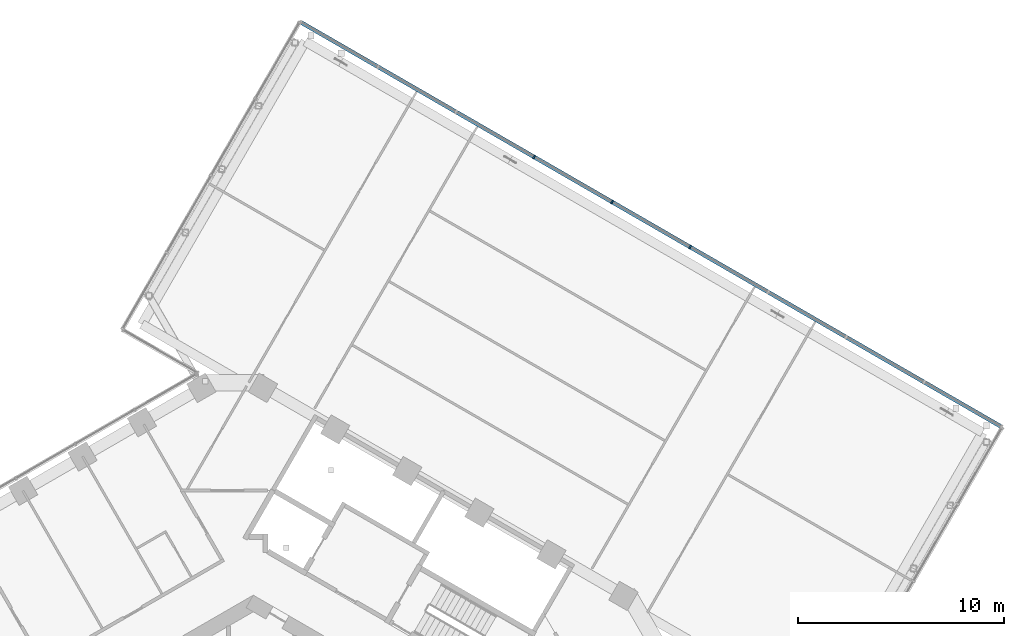
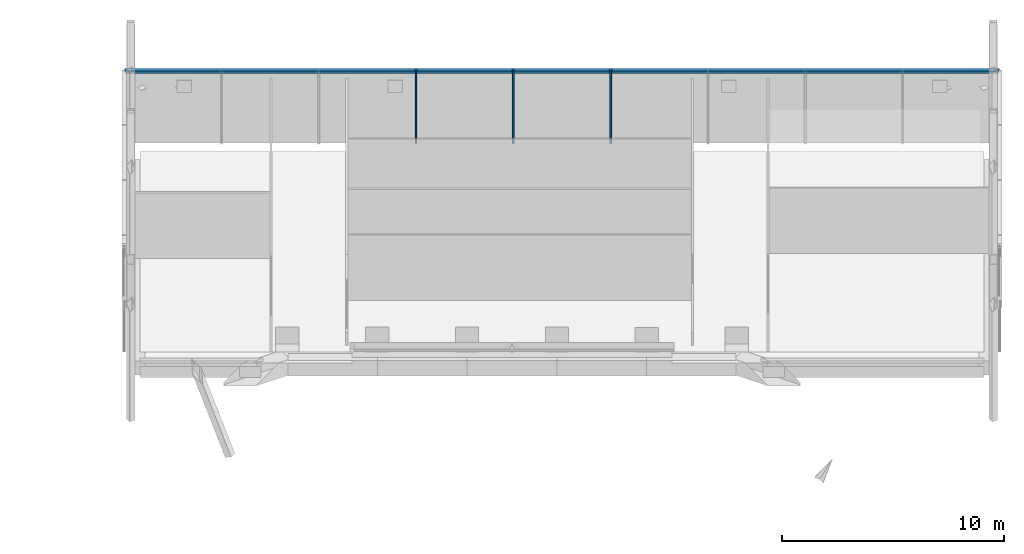
# One storey, part 9 of 25: 4 members, 1 element without a shape of its own.
"""IFC4 building model written with IfcOpenShell, lengths in metres."""

from ifc_helpers import new_model, si_unit, direction, frame, origin, origin_2d, place, context, subcontext, project, spatial, rectangle, extrude, material, layer, layer_set, material_profile, profile_set, type_object, element, aggregate, save


model = new_model("IFC4")

# Units and contexts
model_context = context("Model", 3, precision=1e-05, world=origin(), true_north=direction((0.0, 1.0)))
body_context = subcontext(model_context, "Body", "Model", "MODEL_VIEW")
ifc_project = project(units=[si_unit("LENGTHUNIT", "METRE"), si_unit("AREAUNIT", "SQUARE_METRE"), si_unit("VOLUMEUNIT", "CUBIC_METRE"), si_unit("PLANEANGLEUNIT", "RADIAN"), si_unit("MASSUNIT", "GRAM", prefix="KILO")], contexts=[model_context])

# Site, building, storey
site_placement = place(None, origin())
site = spatial("IfcSite", under=ifc_project, at=site_placement, CompositionType="ELEMENT")
building_placement = place(site_placement, origin())
building = spatial("IfcBuilding", under=site, at=building_placement, Name="Ayvan Gate Tower", CompositionType="ELEMENT")
storey_placement = place(building_placement, frame((0.0, 0.0, 139.89990234375)))
storey = spatial("IfcBuildingStorey", under=building, at=storey_placement, Name="L37", CompositionType="ELEMENT", Elevation=139.89990234375)

# Curtain wall, members
ifc_material = material(Name="Bronze anodised aluminium", Category="aluminium")
ifc_layer = layer(ifc_material, 0.199951171875)
ifc_layer_set = layer_set([ifc_layer], Name="Bronze anodised aluminium")
curtain_wall_type = type_object("IfcCurtainWallType", Name="Stick curtain wall CW-4", PredefinedType="NOTDEFINED", material=ifc_layer_set)
curtain_wall_placement = place(storey_placement, origin())
curtain_wall = element("IfcCurtainWall", 1, at=curtain_wall_placement, inside=storey, type_object=curtain_wall_type, Name="Stick curtain wall CW-4 L37", PredefinedType="NOTDEFINED")
ifc_material_profile_1 = material_profile(ifc_material, rectangle(XDim=0.199951171875, YDim=0.080078125, at=origin_2d()), Name="Stick curtain wall CW-4 mullion 200 x 80")
ifc_profile_set_1 = profile_set([ifc_material_profile_1], Name="Bronze anodised aluminium")
member_type_1 = type_object("IfcMemberType", Name="Stick curtain wall CW-4 mullion 200 x 80", PredefinedType="MULLION", material=ifc_profile_set_1)
member_1_placement = place(storey_placement, frame((21.22607421875, 27.886962890625, 0.0), z_axis=(0.0, 0.0, 1.0), x_axis=(0.5, 0.866025403784, 0.0)))
member_1 = element("IfcMember", 2, at=member_1_placement, type_object=member_type_1, Name="CW-4 mullion 5", PredefinedType="MULLION", context=body_context, shape_type="SweptSolid", body=[
    extrude(rectangle(XDim=0.199951171875, YDim=0.080078125, at=origin_2d()), origin(), (0.0, 0.0, 1.0), 4.0),
])
member_2_placement = place(storey_placement, frame((17.434814453125, 30.075927734375, 0.0), z_axis=(0.0, 0.0, 1.0), x_axis=(0.5, 0.866025403784, 0.0)))
member_2 = element("IfcMember", 3, at=member_2_placement, type_object=member_type_1, Name="CW-4 mullion 6", PredefinedType="MULLION", context=body_context, shape_type="SweptSolid", body=[
    extrude(rectangle(XDim=0.199951171875, YDim=0.080078125, at=origin_2d()), origin(), (0.0, 0.0, 1.0), 4.0),
])
member_3_placement = place(storey_placement, frame((13.6435546875, 32.264892578125, 0.0), z_axis=(0.0, 0.0, 1.0), x_axis=(0.5, 0.866025403784, 0.0)))
member_3 = element("IfcMember", 4, at=member_3_placement, type_object=member_type_1, Name="CW-4 mullion 7", PredefinedType="MULLION", context=body_context, shape_type="SweptSolid", body=[
    extrude(rectangle(XDim=0.199951171875, YDim=0.080078125, at=origin_2d()), origin(), (0.0, 0.0, 1.0), 4.0),
])
ifc_material_profile_2 = material_profile(ifc_material, rectangle(XDim=0.199951171875, YDim=0.139892578125, at=origin_2d()), Name="Stick curtain wall CW-4 transom 200 x 140")
ifc_profile_set_2 = profile_set([ifc_material_profile_2], Name="Bronze anodised aluminium")
member_type_2 = type_object("IfcMemberType", Name="Stick curtain wall CW-4 transom 200 x 140", PredefinedType="USERDEFINED", material=ifc_profile_set_2)
member_4_placement = place(storey_placement, frame((36.356689453125, 19.1513671875, 3.93017578125), z_axis=(-0.866024491936, 0.500001579365, 0.0), x_axis=(-0.500001579365, -0.866024491936, 0.0)))
member_4 = element("IfcMember", 5, at=member_4_placement, type_object=member_type_2, Name="CW-4 transom 1", ObjectType="TRANSOM", PredefinedType="USERDEFINED", context=body_context, shape_type="SweptSolid", body=[
    extrude(rectangle(XDim=0.199951171875, YDim=0.139892578125, at=origin_2d()), origin(), (0.0, 0.0, 1.0), 39.320068359375),
])
aggregate(curtain_wall, [member_1, member_2, member_3, member_4])

save(model, "model.ifc")
